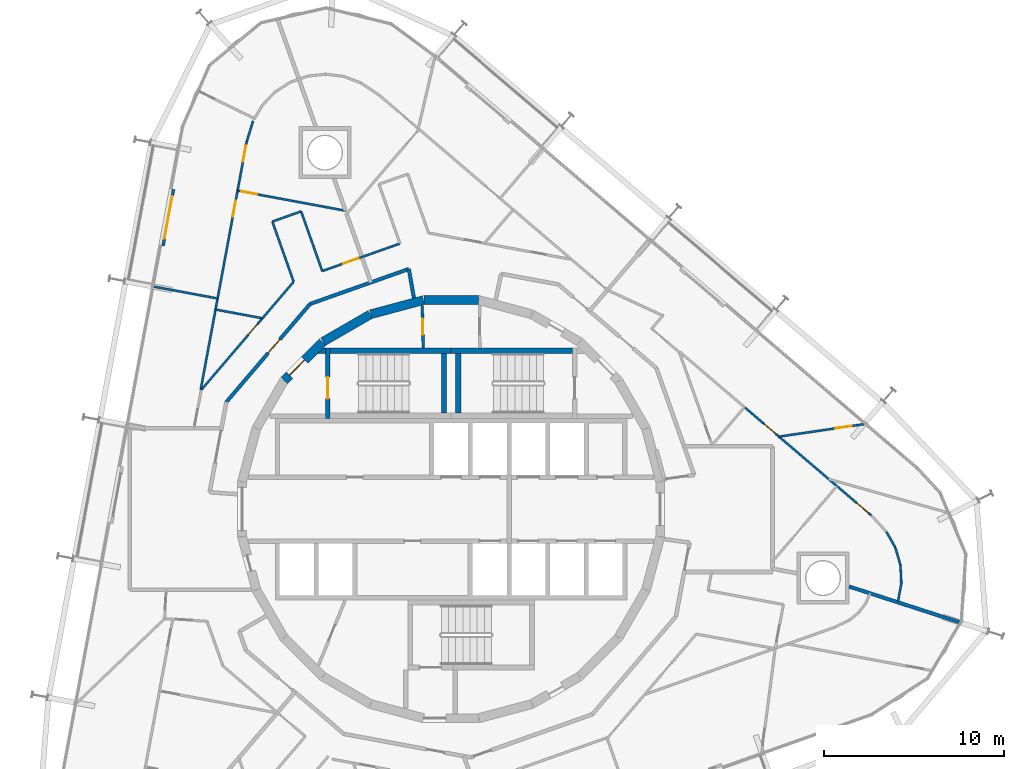
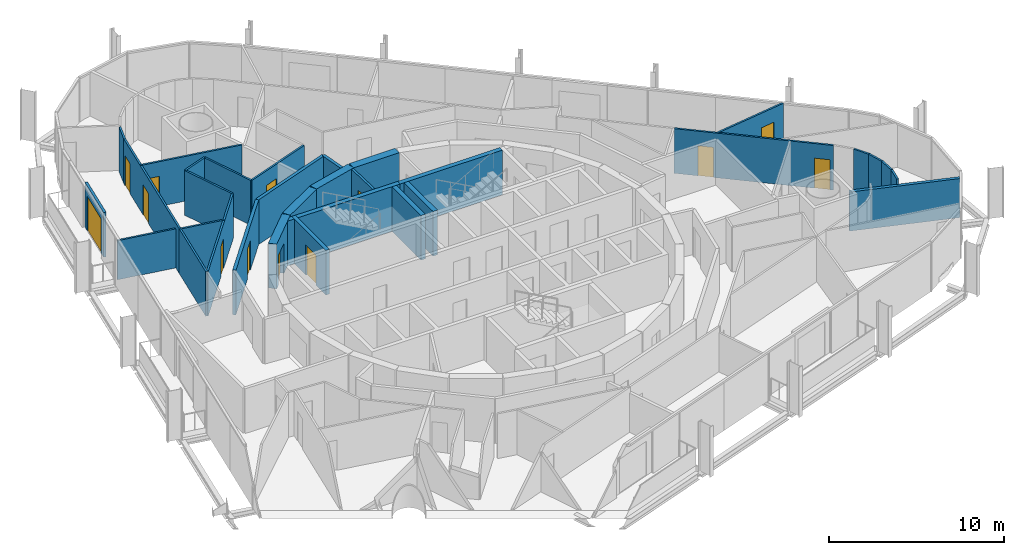
# One storey, part 14 of 17: 33 walls, 13 doors, 13 openings.
"""IFC4 building model written with IfcOpenShell, lengths in metres."""

from ifc_helpers import new_model, si_unit, direction, frame, frame_2d, origin, place, context, subcontext, project, spatial, polyline, rectangle, outline, extrude, material, layer, layer_set, type_object, element, fill, save


model = new_model("IFC4")

# Units and contexts
model_context = context("Model", 3, precision=1e-05, world=origin(), true_north=direction((0.0, 1.0)))
body_context = subcontext(model_context, "Body", "Model", "MODEL_VIEW")
ifc_project = project(units=[si_unit("LENGTHUNIT", "METRE"), si_unit("AREAUNIT", "SQUARE_METRE"), si_unit("VOLUMEUNIT", "CUBIC_METRE"), si_unit("PLANEANGLEUNIT", "RADIAN"), si_unit("MASSUNIT", "GRAM", prefix="KILO")], contexts=[model_context])

# Site, building, storey
site_placement = place(None, origin())
site = spatial("IfcSite", under=ifc_project, at=site_placement, CompositionType="ELEMENT")
building_placement = place(site_placement, origin())
building = spatial("IfcBuilding", under=site, at=building_placement, Name="Spindle Arch Residences", CompositionType="ELEMENT")
storey_placement = place(building_placement, frame((0.0, 0.0, 172.699951171875)))
storey = spatial("IfcBuildingStorey", under=building, at=storey_placement, Name="L43", CompositionType="ELEMENT", Elevation=172.699951171875)

# Walls
ifc_material_1 = material(Name="Concrete C50/60", Category="concrete")
ifc_layer_1 = layer(ifc_material_1, 0.5)
ifc_layer_set_1 = layer_set([ifc_layer_1], Name="Core outline wall 500")
wall_type_1 = type_object("IfcWallType", Name="Core outline wall 500", PredefinedType="SHEAR", material=ifc_layer_set_1)
for number, where, z_axis, x_axis, name in (
    (1, (1.516357421875, 11.647216796875, 0.0), (0.0, 0.0, 1.0), (-1.0, 0.0, 0.0), "Core outline wall 12"),
    (2, (-1.5498046875, 11.642822265625, 0.0), (0.0, 0.0, 1.0), (-0.965948410781, -0.258734743916, 0.0), "Core outline wall 13"),
    (3, (-4.510498046875, 10.84521484375, 0.0), (0.0, 0.0, 1.0), (-0.865975092491, -0.500087131594, 0.0), "Core outline wall 14"),
):
    element("IfcWall", number, at=place(storey_placement, frame(where, z_axis=z_axis, x_axis=x_axis)), inside=storey, type_object=wall_type_1, Name=name, PredefinedType="SHEAR", context=body_context, shape_type="SweptSolid", body=[
        extrude(rectangle(XDim=3.03271484375, YDim=0.5, at=frame_2d((1.516357421875, 0.0))), origin(), (0.0, 0.0, 1.0), 3.1201171875),
    ])

# Wall, opening, door
wall_1_placement = place(storey_placement, frame((-7.163818359375, 9.30810546875, 0.0), z_axis=(0.0, 0.0, 1.0), x_axis=(-0.707106781187, -0.707106781187, 0.0)))
wall_1 = element("IfcWall", 4, at=wall_1_placement, inside=storey, type_object=wall_type_1, Name="Core outline wall 15", PredefinedType="SHEAR", context=body_context, shape_type="SweptSolid", body=[
    extrude(rectangle(XDim=3.032470703125, YDim=0.5, at=frame_2d((1.51611328125, 0.0))), origin(), (0.0, 0.0, 1.0), 3.1201171875),
])
opening_1_placement = place(wall_1_placement, frame((1.416259765625, 0.0, 0.0)))
opening_1 = element("IfcOpeningElement", 5, at=opening_1_placement, cuts=wall_1, Name="Opening R4C0-AD02", PredefinedType="OPENING", context=body_context, shape_type="SweptSolid", body=[
    extrude(rectangle(XDim=1.199951171875, YDim=2.10009765625, at=frame_2d((0.60009765625, 1.050048828125))), frame((0.0, 0.260009765625, 0.0), z_axis=(0.0, -1.0, 0.0), x_axis=(1.0, 0.0, 0.0)), (0.0, 0.0, 1.0), 0.52001953125),
])
ifc_material_2 = material(Name="Steel, fire-resisting door", Category="steel")
door_type_1 = type_object("IfcDoorType", Name="Stair airlock door 1200x2100", OperationType="SINGLE_SWING_LEFT", PredefinedType="DOOR", material=ifc_material_2)
door_1_placement = place(opening_1_placement, origin())
door_1 = element("IfcDoor", 6, at=door_1_placement, inside=storey, type_object=door_type_1, Name="Stair airlock door R4C0-AD02", OperationType="SINGLE_SWING_RIGHT", OverallHeight=2.10009765625, OverallWidth=1.199951171875, PredefinedType="DOOR", context=body_context, shape_type="SweptSolid", body=[
    extrude(rectangle(XDim=1.199951171875, YDim=2.10009765625, at=frame_2d((0.60009765625, 1.050048828125))), frame((0.0, 0.02490234375, 0.0), z_axis=(0.0, -1.0, 0.0), x_axis=(1.0, 0.0, 0.0)), (0.0, 0.0, 1.0), 0.050048828125),
])
fill(opening_1, door_1)

# Walls
ifc_material_3 = material(Name="Calcium silicate block, plastered")
ifc_layer_2 = layer(ifc_material_3, 0.199951171875)
ifc_layer_set_2 = layer_set([ifc_layer_2], Name="Corridor wall 200")
wall_type_2 = type_object("IfcWallType", Name="Corridor wall 200", PredefinedType="STANDARD", material=ifc_layer_set_2)
wall_2_placement = place(storey_placement, frame((-2.07373046875, 11.76123046875, 0.0), z_axis=(0.0, 0.0, 1.0), x_axis=(-0.1736412798, 0.984808969267, 0.0)))
element("IfcWall", 7, at=wall_2_placement, inside=storey, type_object=wall_type_2, Name="Corridor wall R4C0-W009", PredefinedType="STANDARD", context=body_context, shape_type="SweptSolid", body=[
    extrude(rectangle(XDim=1.6435546875, YDim=0.199951171875, at=frame_2d((0.82177734375, 0.0))), origin(), (0.0, 0.0, 1.0), 3.1201171875),
])
wall_3_placement = place(storey_placement, frame((-2.359130859375, 13.3798828125, 0.0), z_axis=(0.0, 0.0, 1.0), x_axis=(-0.942647529236, -0.333789807551, 0.0)))
element("IfcWall", 8, at=wall_3_placement, inside=storey, type_object=wall_type_2, Name="Corridor wall R4C0-W010", PredefinedType="STANDARD", context=body_context, shape_type="SweptSolid", body=[
    extrude(rectangle(XDim=5.8330078125, YDim=0.199951171875, at=frame_2d((2.91650390625, 0.0))), origin(), (0.0, 0.0, 1.0), 3.1201171875),
])

# Wall, opening, door
wall_4_placement = place(storey_placement, frame((-7.857666015625, 11.432861328125, 0.0), z_axis=(0.0, 0.0, 1.0), x_axis=(-0.649440801937, -0.760412154545, 0.0)))
wall_4 = element("IfcWall", 9, at=wall_4_placement, inside=storey, type_object=wall_type_2, Name="Corridor wall R4C0-W011", PredefinedType="STANDARD", context=body_context, shape_type="SweptSolid", body=[
    extrude(rectangle(XDim=7.180908203125, YDim=0.199951171875, at=frame_2d((3.59033203125, 0.0))), origin(), (0.0, 0.0, 1.0), 3.1201171875),
])
opening_2_placement = place(wall_4_placement, frame((2.60009765625, 0.0, 0.0)))
opening_2 = element("IfcOpeningElement", 10, at=opening_2_placement, cuts=wall_4, Name="Opening R4C0-FD03", PredefinedType="OPENING", context=body_context, shape_type="SweptSolid", body=[
    extrude(rectangle(XDim=1.0, YDim=2.10009765625, at=frame_2d((0.5, 1.050048828125))), frame((0.0, 0.10986328125, 0.0), z_axis=(0.0, -1.0, 0.0), x_axis=(1.0, 0.0, 0.0)), (0.0, 0.0, 1.0), 0.219970703125),
])
ifc_material_4 = material(Name="Timber, fire-resisting door set", Category="wood")
door_type_2 = type_object("IfcDoorType", Name="Flat entrance door 1000x2100", OperationType="NOTDEFINED", PredefinedType="DOOR", material=ifc_material_4)
door_2_placement = place(opening_2_placement, origin())
door_2 = element("IfcDoor", 11, at=door_2_placement, inside=storey, type_object=door_type_2, Name="Flat entrance door R4C0-FD03", OperationType="SINGLE_SWING_LEFT", OverallHeight=2.10009765625, OverallWidth=1.0, PredefinedType="DOOR", context=body_context, shape_type="SweptSolid", body=[
    extrude(rectangle(XDim=1.0, YDim=2.10009765625, at=frame_2d((0.5, 1.050048828125))), frame((0.0, 0.02490234375, 0.0), z_axis=(0.0, -1.0, 0.0), x_axis=(1.0, 0.0, 0.0)), (0.0, 0.0, 1.0), 0.050048828125),
])
fill(opening_2, door_2)

# Wall, openings, doors
ifc_material_5 = material(Name="Plasterboard on steel studs", Category="steel")
ifc_layer_3 = layer(ifc_material_5, 0.1201171875)
ifc_layer_set_3 = layer_set([ifc_layer_3], Name="Flat partition 120")
wall_type_3 = type_object("IfcWallType", Name="Flat partition 120", PredefinedType="PARTITIONING", material=ifc_layer_set_3)
wall_5_placement = place(storey_placement, frame((23.411376953125, -0.35693359375, 0.0), z_axis=(0.0, 0.0, 1.0), x_axis=(-0.76041871148, 0.649433124525, 0.0)))
wall_5 = element("IfcWall", 12, at=wall_5_placement, inside=storey, type_object=wall_type_3, Name="Flat partition R4C0-W042", PredefinedType="PARTITIONING", context=body_context, shape_type="SweptSolid", body=[
    extrude(rectangle(XDim=9.2587890625, YDim=0.1201171875, at=frame_2d((4.62939453125, 0.0))), origin(), (0.0, 0.0, 1.0), 3.1201171875),
])
opening_3_placement = place(wall_5_placement, frame((6.971923828125, 0.0, 0.0)))
opening_3 = element("IfcOpeningElement", 13, at=opening_3_placement, cuts=wall_5, Name="Opening R4C0-ID02", PredefinedType="OPENING", context=body_context, shape_type="SweptSolid", body=[
    extrude(rectangle(XDim=0.89990234375, YDim=2.10009765625, at=frame_2d((0.449951171875, 1.050048828125))), frame((0.0, 0.070068359375, 0.0), z_axis=(0.0, -1.0, 0.0), x_axis=(1.0, 0.0, 0.0)), (0.0, 0.0, 1.0), 0.14013671875),
])
opening_4_placement = place(wall_5_placement, frame((0.199951171875, 0.0, 0.0)))
opening_4 = element("IfcOpeningElement", 14, at=opening_4_placement, cuts=wall_5, Name="Opening R4C0-ID05", PredefinedType="OPENING", context=body_context, shape_type="SweptSolid", body=[
    extrude(rectangle(XDim=0.89990234375, YDim=2.10009765625, at=frame_2d((0.449951171875, 1.050048828125))), frame((0.0, 0.070068359375, 0.0), z_axis=(0.0, -1.0, 0.0), x_axis=(1.0, 0.0, 0.0)), (0.0, 0.0, 1.0), 0.14013671875),
])
ifc_material_6 = material(Name="Timber door set", Category="wood")
door_type_3 = type_object("IfcDoorType", Name="Room door 900x2100", OperationType="NOTDEFINED", PredefinedType="DOOR", material=ifc_material_6)
door_3_placement = place(opening_3_placement, origin())
door_3 = element("IfcDoor", 15, at=door_3_placement, inside=storey, type_object=door_type_3, Name="Room door R4C0-ID02", OperationType="SINGLE_SWING_RIGHT", OverallHeight=2.10009765625, OverallWidth=0.89990234375, PredefinedType="DOOR", context=body_context, shape_type="SweptSolid", body=[
    extrude(rectangle(XDim=0.89990234375, YDim=2.10009765625, at=frame_2d((0.449951171875, 1.050048828125))), frame((0.0, 0.02490234375, 0.0), z_axis=(0.0, -1.0, 0.0), x_axis=(1.0, 0.0, 0.0)), (0.0, 0.0, 1.0), 0.050048828125),
])
fill(opening_3, door_3)
door_4_placement = place(opening_4_placement, origin())
door_4 = element("IfcDoor", 16, at=door_4_placement, inside=storey, type_object=door_type_3, Name="Room door R4C0-ID05", OperationType="SINGLE_SWING_LEFT", OverallHeight=2.10009765625, OverallWidth=0.89990234375, PredefinedType="DOOR", context=body_context, shape_type="SweptSolid", body=[
    extrude(rectangle(XDim=0.89990234375, YDim=2.10009765625, at=frame_2d((0.449951171875, 1.050048828125))), frame((0.0, 0.02490234375, 0.0), z_axis=(0.0, -1.0, 0.0), x_axis=(1.0, 0.0, 0.0)), (0.0, 0.0, 1.0), 0.050048828125),
])
fill(opening_4, door_4)

# Wall, opening, door
wall_6_placement = place(storey_placement, frame((22.99365234375, 4.73388671875, 0.0), z_axis=(0.0, 0.0, 1.0), x_axis=(-0.989449286977, -0.144879634529, 0.0)))
wall_6 = element("IfcWall", 17, at=wall_6_placement, inside=storey, type_object=wall_type_3, Name="Flat partition R4C0-W045", PredefinedType="PARTITIONING", context=body_context, shape_type="SweptSolid", body=[
    extrude(rectangle(XDim=4.782470703125, YDim=0.1201171875, at=frame_2d((2.39111328125, 0.0))), origin(), (0.0, 0.0, 1.0), 3.1201171875),
])
opening_5_placement = place(wall_6_placement, frame((0.699951171875, 0.0, 0.0)))
opening_5 = element("IfcOpeningElement", 18, at=opening_5_placement, cuts=wall_6, Name="Opening R4C0-ID03", PredefinedType="OPENING", context=body_context, shape_type="SweptSolid", body=[
    extrude(rectangle(XDim=0.89990234375, YDim=2.10009765625, at=frame_2d((0.449951171875, 1.050048828125))), frame((0.0, 0.070068359375, 0.0), z_axis=(0.0, -1.0, 0.0), x_axis=(1.0, 0.0, 0.0)), (0.0, 0.0, 1.0), 0.14013671875),
])
door_5_placement = place(opening_5_placement, origin())
door_5 = element("IfcDoor", 19, at=door_5_placement, inside=storey, type_object=door_type_3, Name="Room door R4C0-ID03", OperationType="SINGLE_SWING_LEFT", OverallHeight=2.10009765625, OverallWidth=0.89990234375, PredefinedType="DOOR", context=body_context, shape_type="SweptSolid", body=[
    extrude(rectangle(XDim=0.89990234375, YDim=2.10009765625, at=frame_2d((0.449951171875, 1.050048828125))), frame((0.0, 0.02490234375, 0.0), z_axis=(0.0, -1.0, 0.0), x_axis=(1.0, 0.0, 0.0)), (0.0, 0.0, 1.0), 0.050048828125),
])
fill(opening_5, door_5)

# Walls
for number, where, z_axis, x_axis, name in (
    (20, (24.893798828125, -5.130615234375, 0.0), (0.0, 0.0, 1.0), (0.182140887528, 0.983272442963, 0.0), "Flat partition R4C0-W047"),
    (21, (25.078857421875, -4.131591796875, 0.0), (0.0, 0.0, 1.0), (-0.049494233422, 0.998774409393, 0.0), "Flat partition R4C0-W048"),
):
    element("IfcWall", number, at=place(storey_placement, frame(where, z_axis=z_axis, x_axis=x_axis)), inside=storey, type_object=wall_type_3, Name=name, PredefinedType="PARTITIONING", context=body_context, shape_type="SweptSolid", body=[
        extrude(rectangle(XDim=1.01611328125, YDim=0.1201171875, at=frame_2d((0.508056640625, 0.0))), origin(), (0.0, 0.0, 1.0), 3.1201171875),
    ])
for number, where, z_axis, x_axis, name in (
    (22, (25.028564453125, -3.11669921875, 0.0), (0.0, 0.0, 1.0), (-0.278559922069, 0.96041885124, 0.0), "Flat partition R4C0-W049"),
    (23, (24.74560546875, -2.14111328125, 0.0), (0.0, 0.0, 1.0), (-0.492199796518, 0.870482257319, 0.0), "Flat partition R4C0-W050"),
):
    element("IfcWall", number, at=place(storey_placement, frame(where, z_axis=z_axis, x_axis=x_axis)), inside=storey, type_object=wall_type_3, Name=name, PredefinedType="PARTITIONING", context=body_context, shape_type="SweptSolid", body=[
        extrude(rectangle(XDim=1.015869140625, YDim=0.1201171875, at=frame_2d((0.5078125, 0.0))), origin(), (0.0, 0.0, 1.0), 3.1201171875),
    ])

# Wall, opening, door
wall_7_placement = place(storey_placement, frame((-2.8515625, 14.796875, 0.0), z_axis=(0.0, 0.0, 1.0), x_axis=(-0.942629664375, -0.333840254973, 0.0)))
wall_7 = element("IfcWall", 24, at=wall_7_placement, inside=storey, type_object=wall_type_3, Name="Flat partition R4C0-W057", PredefinedType="PARTITIONING", context=body_context, shape_type="SweptSolid", body=[
    extrude(rectangle(XDim=4.59326171875, YDim=0.1201171875, at=frame_2d((2.296630859375, 0.0))), origin(), (0.0, 0.0, 1.0), 3.1201171875),
])
opening_6_placement = place(wall_7_placement, frame((2.451171875, 0.0, 0.0)))
opening_6 = element("IfcOpeningElement", 25, at=opening_6_placement, cuts=wall_7, Name="Opening R4C0-ID11", PredefinedType="OPENING", context=body_context, shape_type="SweptSolid", body=[
    extrude(rectangle(XDim=0.89990234375, YDim=2.10009765625, at=frame_2d((0.449951171875, 1.050048828125))), frame((0.0, 0.070068359375, 0.0), z_axis=(0.0, -1.0, 0.0), x_axis=(1.0, 0.0, 0.0)), (0.0, 0.0, 1.0), 0.14013671875),
])
door_6_placement = place(opening_6_placement, origin())
door_6 = element("IfcDoor", 26, at=door_6_placement, inside=storey, type_object=door_type_3, Name="Room door R4C0-ID11", OperationType="SINGLE_SWING_LEFT", OverallHeight=2.10009765625, OverallWidth=0.89990234375, PredefinedType="DOOR", context=body_context, shape_type="SweptSolid", body=[
    extrude(rectangle(XDim=0.89990234375, YDim=2.10009765625, at=frame_2d((0.449951171875, 1.050048828125))), frame((0.0, 0.02490234375, 0.0), z_axis=(0.0, -1.0, 0.0), x_axis=(1.0, 0.0, 0.0)), (0.0, 0.0, 1.0), 0.050048828125),
])
fill(opening_6, door_6)

# Walls
wall_8_placement = place(storey_placement, frame((-7.181396484375, 13.263427734375, 0.0), z_axis=(0.0, 0.0, 1.0), x_axis=(-0.333822798183, 0.942635846663, 0.0)))
element("IfcWall", 27, at=wall_8_placement, inside=storey, type_object=wall_type_3, Name="Flat partition R4C0-W067", PredefinedType="PARTITIONING", context=body_context, shape_type="SweptSolid", body=[
    extrude(rectangle(XDim=3.52734375, YDim=0.1201171875, at=frame_2d((1.763671875, 0.0))), origin(), (0.0, 0.0, 1.0), 3.1201171875),
])
wall_9_placement = place(storey_placement, frame((-8.35888671875, 16.58837890625, 0.0), z_axis=(0.0, 0.0, 1.0), x_axis=(-0.942661115325, -0.333751436931, 0.0)))
element("IfcWall", 28, at=wall_9_placement, inside=storey, type_object=wall_type_3, Name="Flat partition R4C0-W068", PredefinedType="PARTITIONING", context=body_context, shape_type="SweptSolid", body=[
    extrude(rectangle(XDim=1.699951171875, YDim=0.1201171875, at=frame_2d((0.85009765625, 0.0))), origin(), (0.0, 0.0, 1.0), 3.1201171875),
])
wall_10_placement = place(storey_placement, frame((-9.96142578125, 16.02099609375, 0.0), z_axis=(0.0, 0.0, 1.0), x_axis=(0.333803930912, -0.94264252806, 0.0)))
element("IfcWall", 29, at=wall_10_placement, inside=storey, type_object=wall_type_3, Name="Flat partition R4C0-W069", PredefinedType="PARTITIONING", context=body_context, shape_type="SweptSolid", body=[
    extrude(rectangle(XDim=3.555908203125, YDim=0.1201171875, at=frame_2d((1.77783203125, 0.0))), origin(), (0.0, 0.0, 1.0), 3.1201171875),
])

# Wall, opening, door
wall_11_placement = place(storey_placement, frame((-8.7744140625, 12.6689453125, 0.0), z_axis=(0.0, 0.0, 1.0), x_axis=(-0.649446157105, -0.760407580855, 0.0)))
wall_11 = element("IfcWall", 30, at=wall_11_placement, inside=storey, type_object=wall_type_3, Name="Flat partition R4C0-W070", PredefinedType="PARTITIONING", context=body_context, shape_type="SweptSolid", body=[
    extrude(rectangle(XDim=7.927490234375, YDim=0.1201171875, at=frame_2d((3.9638671875, 0.0))), origin(), (0.0, 0.0, 1.0), 3.1201171875),
])
opening_7_placement = place(wall_11_placement, frame((3.074462890625, 0.0, 0.0)))
opening_7 = element("IfcOpeningElement", 31, at=opening_7_placement, cuts=wall_11, Name="Opening R4C0-BD03", PredefinedType="OPENING", context=body_context, shape_type="SweptSolid", body=[
    extrude(rectangle(XDim=0.800048828125, YDim=2.10009765625, at=frame_2d((0.39990234375, 1.050048828125))), frame((0.0, 0.070068359375, 0.0), z_axis=(0.0, -1.0, 0.0), x_axis=(1.0, 0.0, 0.0)), (0.0, 0.0, 1.0), 0.14013671875),
])
ifc_material_7 = material(Name="Timber door set", Category="wood")
door_type_4 = type_object("IfcDoorType", Name="Bathroom door 800x2100", OperationType="NOTDEFINED", PredefinedType="DOOR", material=ifc_material_7)
door_7_placement = place(opening_7_placement, origin())
door_7 = element("IfcDoor", 32, at=door_7_placement, inside=storey, type_object=door_type_4, Name="Bathroom door R4C0-BD03", OperationType="SINGLE_SWING_LEFT", OverallHeight=2.10009765625, OverallWidth=0.800048828125, PredefinedType="DOOR", context=body_context, shape_type="SweptSolid", body=[
    extrude(rectangle(XDim=0.800048828125, YDim=2.10009765625, at=frame_2d((0.39990234375, 1.050048828125))), frame((0.0, 0.02490234375, 0.0), z_axis=(0.0, -1.0, 0.0), x_axis=(1.0, 0.0, 0.0)), (0.0, 0.0, 1.0), 0.050048828125),
])
fill(opening_7, door_7)

# Wall
wall_12_placement = place(storey_placement, frame((-13.955322265625, 6.64697265625, 0.0), z_axis=(0.0, 0.0, 1.0), x_axis=(0.182264522222, 0.983249532896, 0.0)))
element("IfcWall", 33, at=wall_12_placement, inside=storey, type_object=wall_type_3, Name="Flat partition R4C0-W072", PredefinedType="PARTITIONING", context=body_context, shape_type="SweptSolid", body=[
    extrude(rectangle(XDim=4.589111328125, YDim=0.1201171875, at=frame_2d((2.29443359375, 0.0))), origin(), (0.0, 0.0, 1.0), 3.1201171875),
])

# Wall, opening, door
wall_13_placement = place(storey_placement, frame((-11.8994140625, 17.739990234375, 0.0), z_axis=(0.0, 0.0, 1.0), x_axis=(0.983254721409, -0.182236529889, 0.0)))
wall_13 = element("IfcWall", 34, at=wall_13_placement, inside=storey, type_object=wall_type_3, Name="Flat partition R4C0-W077", PredefinedType="PARTITIONING", context=body_context, shape_type="SweptSolid", body=[
    extrude(rectangle(XDim=6.1142578125, YDim=0.1201171875, at=frame_2d((3.05712890625, 0.0))), origin(), (0.0, 0.0, 1.0), 3.1201171875),
])
opening_8_placement = place(wall_13_placement, frame((0.199951171875, 0.0, 0.0)))
opening_8 = element("IfcOpeningElement", 35, at=opening_8_placement, cuts=wall_13, Name="Opening R4C0-ID13", PredefinedType="OPENING", context=body_context, shape_type="SweptSolid", body=[
    extrude(rectangle(XDim=0.89990234375, YDim=2.10009765625, at=frame_2d((0.449951171875, 1.050048828125))), frame((0.0, 0.070068359375, 0.0), z_axis=(0.0, -1.0, 0.0), x_axis=(1.0, 0.0, 0.0)), (0.0, 0.0, 1.0), 0.14013671875),
])
door_8_placement = place(opening_8_placement, origin())
door_8 = element("IfcDoor", 36, at=door_8_placement, inside=storey, type_object=door_type_3, Name="Room door R4C0-ID13", OperationType="SINGLE_SWING_LEFT", OverallHeight=2.10009765625, OverallWidth=0.89990234375, PredefinedType="DOOR", context=body_context, shape_type="SweptSolid", body=[
    extrude(rectangle(XDim=0.89990234375, YDim=2.10009765625, at=frame_2d((0.449951171875, 1.050048828125))), frame((0.0, 0.02490234375, 0.0), z_axis=(0.0, -1.0, 0.0), x_axis=(1.0, 0.0, 0.0)), (0.0, 0.0, 1.0), 0.050048828125),
])
fill(opening_8, door_8)

# Wall
wall_14_placement = place(storey_placement, frame((-11.0341796875, 21.62548828125, 0.0), z_axis=(0.0, 0.0, 1.0), x_axis=(-0.295260042089, -0.955416928647, 0.0)))
element("IfcWall", 37, at=wall_14_placement, inside=storey, type_object=wall_type_3, Name="Flat partition R4C0-W078", PredefinedType="PARTITIONING", context=body_context, shape_type="SweptSolid", body=[
    extrude(rectangle(XDim=1.22705078125, YDim=0.1201171875, at=frame_2d((0.613525390625, 0.0))), origin(), (0.0, 0.0, 1.0), 3.1201171875),
])

# Wall, openings, doors
wall_15_placement = place(storey_placement, frame((-11.396484375, 20.453125, 0.0), z_axis=(0.0, 0.0, 1.0), x_axis=(-0.182223370439, -0.983257160292, 0.0)))
wall_15 = element("IfcWall", 38, at=wall_15_placement, inside=storey, type_object=wall_type_3, Name="Flat partition R4C0-W079", PredefinedType="PARTITIONING", context=body_context, shape_type="SweptSolid", body=[
    extrude(rectangle(XDim=9.4521484375, YDim=0.1201171875, at=frame_2d((4.72607421875, 0.0))), origin(), (0.0, 0.0, 1.0), 3.1201171875),
])
opening_9_placement = place(wall_15_placement, frame((3.3193359375, 0.0, 0.0)))
opening_9 = element("IfcOpeningElement", 39, at=opening_9_placement, cuts=wall_15, Name="Opening R4C0-ID14", PredefinedType="OPENING", context=body_context, shape_type="SweptSolid", body=[
    extrude(rectangle(XDim=0.89990234375, YDim=2.10009765625, at=frame_2d((0.449951171875, 1.050048828125))), frame((0.0, 0.070068359375, 0.0), z_axis=(0.0, -1.0, 0.0), x_axis=(1.0, 0.0, 0.0)), (0.0, 0.0, 1.0), 0.14013671875),
])
opening_10_placement = place(wall_15_placement, frame((0.199951171875, 0.0, 0.0)))
opening_10 = element("IfcOpeningElement", 40, at=opening_10_placement, cuts=wall_15, Name="Opening R4C0-ID16", PredefinedType="OPENING", context=body_context, shape_type="SweptSolid", body=[
    extrude(rectangle(XDim=0.89990234375, YDim=2.10009765625, at=frame_2d((0.449951171875, 1.050048828125))), frame((0.0, 0.070068359375, 0.0), z_axis=(0.0, -1.0, 0.0), x_axis=(1.0, 0.0, 0.0)), (0.0, 0.0, 1.0), 0.14013671875),
])
door_9_placement = place(opening_9_placement, origin())
door_9 = element("IfcDoor", 41, at=door_9_placement, inside=storey, type_object=door_type_3, Name="Room door R4C0-ID14", OperationType="SINGLE_SWING_LEFT", OverallHeight=2.10009765625, OverallWidth=0.89990234375, PredefinedType="DOOR", context=body_context, shape_type="SweptSolid", body=[
    extrude(rectangle(XDim=0.89990234375, YDim=2.10009765625, at=frame_2d((0.449951171875, 1.050048828125))), frame((0.0, 0.02490234375, 0.0), z_axis=(0.0, -1.0, 0.0), x_axis=(1.0, 0.0, 0.0)), (0.0, 0.0, 1.0), 0.050048828125),
])
fill(opening_9, door_9)
door_10_placement = place(opening_10_placement, origin())
door_10 = element("IfcDoor", 42, at=door_10_placement, inside=storey, type_object=door_type_3, Name="Room door R4C0-ID16", OperationType="SINGLE_SWING_RIGHT", OverallHeight=2.10009765625, OverallWidth=0.89990234375, PredefinedType="DOOR", context=body_context, shape_type="SweptSolid", body=[
    extrude(rectangle(XDim=0.89990234375, YDim=2.10009765625, at=frame_2d((0.449951171875, 1.050048828125))), frame((0.0, 0.02490234375, 0.0), z_axis=(0.0, -1.0, 0.0), x_axis=(1.0, 0.0, 0.0)), (0.0, 0.0, 1.0), 0.050048828125),
])
fill(opening_10, door_10)

# Walls
wall_16_placement = place(storey_placement, frame((-13.126220703125, 11.1201171875, 0.0), z_axis=(0.0, 0.0, 1.0), x_axis=(0.983257646361, -0.182220747645, 0.0)))
element("IfcWall", 43, at=wall_16_placement, inside=storey, type_object=wall_type_3, Name="Flat partition R4C0-W080", PredefinedType="PARTITIONING", context=body_context, shape_type="SweptSolid", body=[
    extrude(rectangle(XDim=2.659423828125, YDim=0.1201171875, at=frame_2d((1.32958984375, 0.0))), origin(), (0.0, 0.0, 1.0), 3.1201171875),
])
ifc_material_8 = material(Name="Plasterboard on steel studs", Category="steel")
ifc_layer_4 = layer(ifc_material_8, 0.1201171875)
ifc_layer_set_4 = layer_set([ifc_layer_4], Name="Flat partition 120 under beam 2730")
wall_type_4 = type_object("IfcWallType", Name="Flat partition 120 under beam 2730", PredefinedType="PARTITIONING", material=ifc_layer_set_4)
wall_17_placement = place(storey_placement, frame((-16.551513671875, 12.393798828125, 0.0), z_axis=(0.0, 0.0, 1.0), x_axis=(0.983257712156, -0.182220392618, 0.0)))
element("IfcWall", 44, at=wall_17_placement, inside=storey, type_object=wall_type_4, Name="Flat partition R4C0-W081", PredefinedType="PARTITIONING", context=body_context, shape_type="SweptSolid", body=[
    extrude(rectangle(XDim=3.60009765625, YDim=0.1201171875, at=frame_2d((1.800048828125, 0.0))), origin(), (0.0, 0.0, 1.0), 2.72998046875),
])
ifc_material_9 = material(Name="Calcium silicate block, plastered")
ifc_layer_5 = layer(ifc_material_9, 0.199951171875)
ifc_layer_set_5 = layer_set([ifc_layer_5], Name="Flat party wall 200 under beam 2730")
wall_type_5 = type_object("IfcWallType", Name="Flat party wall 200 under beam 2730", PredefinedType="STANDARD", material=ifc_layer_set_5)
wall_18_placement = place(storey_placement, frame((22.1630859375, -4.30810546875, 0.0), z_axis=(0.0, 0.0, 1.0), x_axis=(0.951422718769, -0.307887658426, 0.0)))
element("IfcWall", 45, at=wall_18_placement, inside=storey, type_object=wall_type_5, Name="Flat party wall R4C0-W027", PredefinedType="STANDARD", context=body_context, shape_type="SweptSolid", body=[
    extrude(rectangle(XDim=6.464111328125, YDim=0.199951171875, at=frame_2d((3.23193359375, 0.0))), origin(), (0.0, 0.0, 1.0), 2.72998046875),
])

# Wall, opening, door
ifc_material_10 = material(Name="Non-combustible mineral wool insulated aluminium faced external wall (K0)", Category="aluminium")
ifc_layer_6 = layer(ifc_material_10, 0.159912109375)
ifc_layer_set_6 = layer_set([ifc_layer_6], Name="Insulated external wall panel 160")
wall_type_6 = type_object("IfcWallType", Name="Insulated external wall panel 160", PredefinedType="STANDARD", material=ifc_layer_set_6)
wall_19_placement = place(storey_placement, frame((-15.465087890625, 17.816650390625, 0.0), z_axis=(0.0, 0.0, 1.0), x_axis=(-0.182201278434, -0.983261254264, 0.0)))
wall_19 = element("IfcWall", 46, at=wall_19_placement, inside=storey, type_object=wall_type_6, Name="External wall L43 bay 13", PredefinedType="STANDARD", context=body_context, shape_type="SweptSolid", body=[
    extrude(rectangle(XDim=3.19970703125, YDim=0.159912109375, at=frame_2d((1.599853515625, 0.0))), origin(), (0.0, 0.0, 1.0), 3.1201171875),
])
opening_11_placement = place(wall_19_placement, frame((0.39990234375, 0.0, 0.0)))
opening_11 = element("IfcOpeningElement", 47, at=opening_11_placement, cuts=wall_19, Name="Opening BD13", PredefinedType="OPENING", context=body_context, shape_type="SweptSolid", body=[
    extrude(rectangle(XDim=2.39990234375, YDim=2.39990234375, at=frame_2d((1.199951171875, 1.199951171875))), frame((0.0, 0.08984375, 0.0), z_axis=(0.0, -1.0, 0.0), x_axis=(1.0, 0.0, 0.0)), (0.0, 0.0, 1.0), 0.179931640625),
])
ifc_material_11 = material(Name="Bronze aluminium frame, tinted double glazing", Category="aluminium")
door_type_5 = type_object("IfcDoorType", Name="Sliding glazed balcony door 2400x2400", OperationType="DOUBLE_DOOR_SLIDING", PredefinedType="DOOR", material=ifc_material_11)
door_11_placement = place(opening_11_placement, origin())
door_11 = element("IfcDoor", 48, at=door_11_placement, inside=storey, type_object=door_type_5, Name="Balcony door BD13", OperationType="DOUBLE_DOOR_SLIDING", OverallHeight=2.39990234375, OverallWidth=2.39990234375, PredefinedType="DOOR", context=body_context, shape_type="SweptSolid", body=[
    extrude(rectangle(XDim=2.39990234375, YDim=2.39990234375, at=frame_2d((1.199951171875, 1.199951171875))), frame((0.0, 0.02490234375, 0.0), z_axis=(0.0, -1.0, 0.0), x_axis=(1.0, 0.0, 0.0)), (0.0, 0.0, 1.0), 0.050048828125),
])
fill(opening_11, door_11)

ifc_material_12 = material(Name="Concrete C25/30", Category="concrete")
ifc_layer_7 = layer(ifc_material_12, 0.14990234375)
ifc_layer_set_7 = layer_set([ifc_layer_7], Name="Service room partition 150")
wall_type_7 = type_object("IfcWallType", Name="Service room partition 150", PredefinedType="PARTITIONING", material=ifc_layer_set_7)
wall_20_placement = place(storey_placement, frame((-1.555419921875, 8.989990234375, 0.0), z_axis=(0.0, 0.0, 1.0), x_axis=(-0.024125549686, 0.999708936567, 0.0)))
wall_20 = element("IfcWall", 49, at=wall_20_placement, inside=storey, type_object=wall_type_7, Name="Core service room partition", PredefinedType="PARTITIONING", context=body_context, shape_type="SweptSolid", body=[
    extrude(rectangle(XDim=2.35791015625, YDim=0.14990234375, at=frame_2d((1.178955078125, 0.0))), origin(), (0.0, 0.0, 1.0), 3.1201171875),
])
opening_12_placement = place(wall_20_placement, frame((0.72900390625, 0.0, 0.0)))
opening_12 = element("IfcOpeningElement", 50, at=opening_12_placement, cuts=wall_20, Name="Opening R4C0-WD06", PredefinedType="OPENING", context=body_context, shape_type="SweptSolid", body=[
    extrude(rectangle(XDim=0.89990234375, YDim=2.10009765625, at=frame_2d((0.449951171875, 1.050048828125))), frame((0.0, 0.0849609375, 0.0), z_axis=(0.0, -1.0, 0.0), x_axis=(1.0, 0.0, 0.0)), (0.0, 0.0, 1.0), 0.169921875),
])
ifc_material_13 = material(Name="Steel, fire-resisting door", Category="steel")
door_type_6 = type_object("IfcDoorType", Name="Service room door 900x2100", OperationType="SINGLE_SWING_LEFT", PredefinedType="DOOR", material=ifc_material_13)
door_12_placement = place(opening_12_placement, origin())
door_12 = element("IfcDoor", 51, at=door_12_placement, inside=storey, type_object=door_type_6, Name="Service room door R4C0-WD06", OperationType="SINGLE_SWING_RIGHT", OverallHeight=2.10009765625, OverallWidth=0.89990234375, PredefinedType="DOOR", context=body_context, shape_type="SweptSolid", body=[
    extrude(rectangle(XDim=0.89990234375, YDim=2.10009765625, at=frame_2d((0.449951171875, 1.050048828125))), frame((0.0, 0.02490234375, 0.0), z_axis=(0.0, -1.0, 0.0), x_axis=(1.0, 0.0, 0.0)), (0.0, 0.0, 1.0), 0.050048828125),
])
fill(opening_12, door_12)

# Wall
ifc_material_14 = material(Name="Concrete C40/50", Category="concrete")
wall_type_8 = type_object("IfcWallType", Name="Stair airlock wall profile", PredefinedType="SHEAR", material=ifc_material_14)
wall_21_placement = place(storey_placement, origin())
element("IfcWall", 52, at=wall_21_placement, inside=storey, type_object=wall_type_8, Name="Stair ST-2 airlock wall N", PredefinedType="SHEAR", context=body_context, shape_type="SweptSolid", body=[
    extrude(outline(polyline([(-7.148193359375, 8.969970703125), (-7.0, 8.969970703125), (-7.0, 8.669921875), (-7.4482421875, 8.669921875), (-7.148193359375, 8.969970703125)])), origin(), (0.0, 0.0, 1.0), 3.1201171875),
])

# Wall, opening, door
ifc_material_15 = material(Name="Concrete C50/60", Category="concrete")
ifc_layer_8 = layer(ifc_material_15, 0.25)
ifc_layer_set_8 = layer_set([ifc_layer_8], Name="Stair enclosure wall 250")
wall_type_9 = type_object("IfcWallType", Name="Stair enclosure wall 250", PredefinedType="SHEAR", material=ifc_layer_set_8)
wall_22_placement = place(storey_placement, frame((-6.875, 8.969970703125, 0.0), z_axis=(0.0, 0.0, 1.0), x_axis=(0.0, -1.0, 0.0)))
wall_22 = element("IfcWall", 53, at=wall_22_placement, inside=storey, type_object=wall_type_9, Name="Stair ST-2 door wall", PredefinedType="SHEAR", context=body_context, shape_type="SweptSolid", body=[
    extrude(rectangle(XDim=3.919921875, YDim=0.25, at=frame_2d((1.9599609375, 0.0))), origin(), (0.0, 0.0, 1.0), 3.1201171875),
])
opening_13_placement = place(wall_22_placement, frame((1.610107421875, 0.0, 0.0)))
opening_13 = element("IfcOpeningElement", 54, at=opening_13_placement, cuts=wall_22, Name="Opening R4C0-SD02", PredefinedType="OPENING", context=body_context, shape_type="SweptSolid", body=[
    extrude(rectangle(XDim=1.199951171875, YDim=2.10009765625, at=frame_2d((0.60009765625, 1.050048828125))), frame((0.0, 0.135009765625, 0.0), z_axis=(0.0, -1.0, 0.0), x_axis=(1.0, 0.0, 0.0)), (0.0, 0.0, 1.0), 0.27001953125),
])
ifc_material_16 = material(Name="Steel, fire-resisting door", Category="steel")
door_type_7 = type_object("IfcDoorType", Name="Stair door 1200x2100", OperationType="SINGLE_SWING_RIGHT", PredefinedType="DOOR", material=ifc_material_16)
door_13_placement = place(opening_13_placement, origin())
door_13 = element("IfcDoor", 55, at=door_13_placement, inside=storey, type_object=door_type_7, Name="Stair door R4C0-SD02", OperationType="SINGLE_SWING_LEFT", OverallHeight=2.10009765625, OverallWidth=1.199951171875, PredefinedType="DOOR", context=body_context, shape_type="SweptSolid", body=[
    extrude(rectangle(XDim=1.199951171875, YDim=2.10009765625, at=frame_2d((0.60009765625, 1.050048828125))), frame((0.0, 0.02490234375, 0.0), z_axis=(0.0, -1.0, 0.0), x_axis=(1.0, 0.0, 0.0)), (0.0, 0.0, 1.0), 0.050048828125),
])
fill(opening_13, door_13)

# Walls
ifc_material_17 = material(Name="Concrete C50/60", Category="concrete")
ifc_layer_9 = layer(ifc_material_17, 0.300048828125)
ifc_layer_set_9 = layer_set([ifc_layer_9], Name="Stair enclosure wall 300")
wall_type_10 = type_object("IfcWallType", Name="Stair enclosure wall 300", PredefinedType="SHEAR", material=ifc_layer_set_9)
wall_23_placement = place(storey_placement, frame((0.0, 8.820068359375, 0.0), z_axis=(0.0, 0.0, 1.0), x_axis=(1.0, 0.0, 0.0)))
element("IfcWall", 56, at=wall_23_placement, inside=storey, type_object=wall_type_10, Name="Stair ST-1 enclosure wall N", PredefinedType="SHEAR", context=body_context, shape_type="SweptSolid", body=[
    extrude(rectangle(XDim=6.75, YDim=0.300048828125, at=frame_2d((3.375, 0.0))), origin(), (0.0, 0.0, 1.0), 3.1201171875),
])
wall_24_placement = place(storey_placement, frame((0.39990234375, 5.35009765625, 0.0), z_axis=(0.0, 0.0, 1.0), x_axis=(0.0, 1.0, 0.0)))
element("IfcWall", 57, at=wall_24_placement, inside=storey, type_object=wall_type_10, Name="Stair ST-1 enclosure wall F", PredefinedType="SHEAR", context=body_context, shape_type="SweptSolid", body=[
    extrude(rectangle(XDim=3.31982421875, YDim=0.300048828125, at=frame_2d((1.659912109375, 0.0))), origin(), (0.0, 0.0, 1.0), 3.1201171875),
])
wall_25_placement = place(storey_placement, frame((-6.75, 8.820068359375, 0.0), z_axis=(0.0, 0.0, 1.0), x_axis=(1.0, 0.0, 0.0)))
element("IfcWall", 58, at=wall_25_placement, inside=storey, type_object=wall_type_10, Name="Stair ST-2 enclosure wall N", PredefinedType="SHEAR", context=body_context, shape_type="SweptSolid", body=[
    extrude(rectangle(XDim=6.75, YDim=0.300048828125, at=frame_2d((3.375, 0.0))), origin(), (0.0, 0.0, 1.0), 3.1201171875),
])
wall_26_placement = place(storey_placement, frame((-0.39990234375, 5.35009765625, 0.0), z_axis=(0.0, 0.0, 1.0), x_axis=(0.0, 1.0, 0.0)))
element("IfcWall", 59, at=wall_26_placement, inside=storey, type_object=wall_type_10, Name="Stair ST-2 enclosure wall F", PredefinedType="SHEAR", context=body_context, shape_type="SweptSolid", body=[
    extrude(rectangle(XDim=3.31982421875, YDim=0.300048828125, at=frame_2d((1.659912109375, 0.0))), origin(), (0.0, 0.0, 1.0), 3.1201171875),
])

save(model, "model.ifc")
